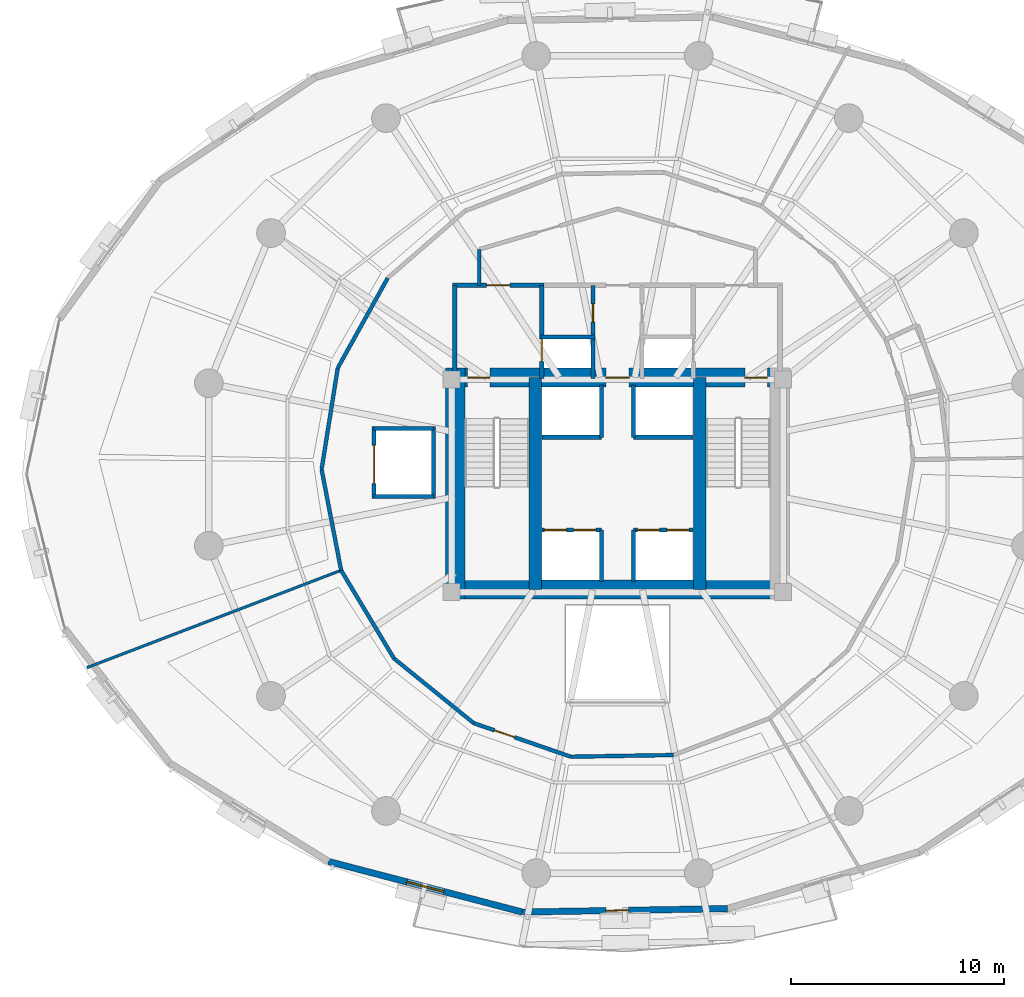
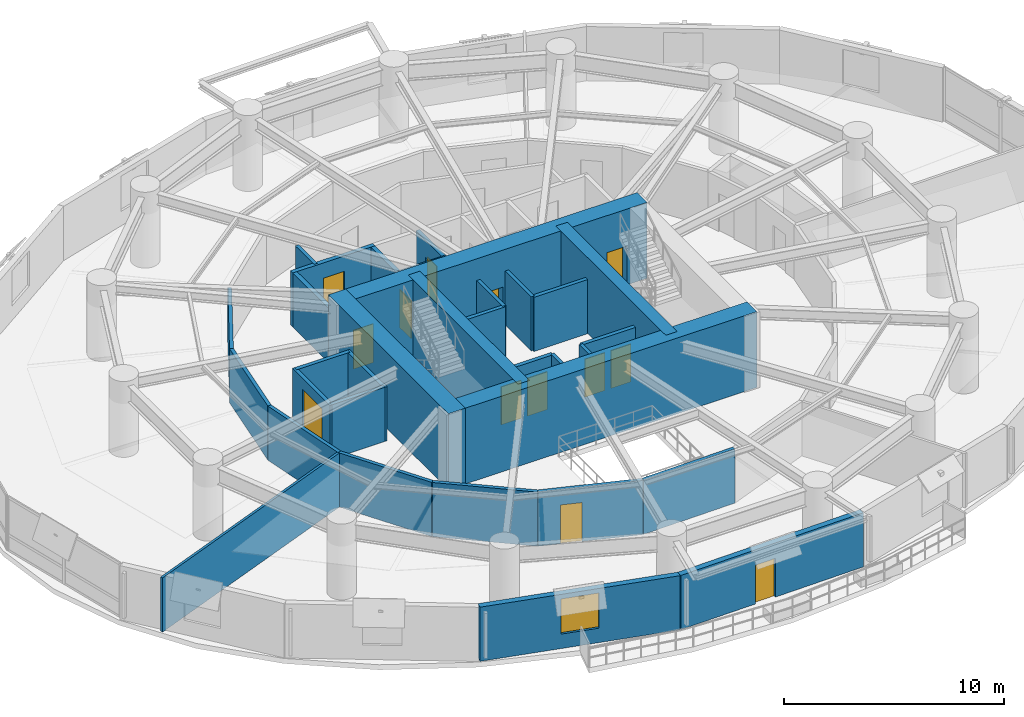
# One storey, part 12 of 17: 33 walls, 13 doors, 1 window, 14 openings.
"""IFC4 building model written with IfcOpenShell, lengths in metres."""

from ifc_helpers import new_model, si_unit, direction, frame, frame_2d, origin, place, context, subcontext, project, spatial, rectangle, extrude, material, layer, layer_set, type_object, element, fill, save


model = new_model("IFC4")

# Units and contexts
model_context = context("Model", 3, precision=1e-05, world=origin(), true_north=direction((0.0, 1.0)))
body_context = subcontext(model_context, "Body", "Model", "MODEL_VIEW")
ifc_project = project(units=[si_unit("LENGTHUNIT", "METRE"), si_unit("AREAUNIT", "SQUARE_METRE"), si_unit("VOLUMEUNIT", "CUBIC_METRE"), si_unit("PLANEANGLEUNIT", "RADIAN"), si_unit("MASSUNIT", "GRAM", prefix="KILO"), si_unit("THERMODYNAMICTEMPERATUREUNIT", "KELVIN"), si_unit("POWERUNIT", "WATT")], contexts=[model_context])

# Site, building, storey
site_placement = place(None, origin())
site = spatial("IfcSite", under=ifc_project, at=site_placement, CompositionType="ELEMENT")
building_placement = place(site_placement, origin())
building = spatial("IfcBuilding", under=site, at=building_placement, Name="Ocrelia Relay Tower", CompositionType="ELEMENT")
storey_placement = place(building_placement, frame((0.0, 0.0, 34.199951171875)))
storey = spatial("IfcBuildingStorey", under=building, at=storey_placement, Name="L07", CompositionType="ELEMENT", Elevation=34.199951171875)

# Wall
ifc_material_1 = material(Name="Concrete C70/85", Category="concrete")
ifc_layer_1 = layer(ifc_material_1, 0.89990234375, Name="Concrete C70/85")
ifc_layer_set_1 = layer_set([ifc_layer_1], Name="Concrete C70/85")
wall_type_1 = type_object("IfcWallType", Name="CW-CORE-900", PredefinedType="SHEAR", material=ifc_layer_set_1)
wall_1_placement = place(storey_placement, frame((25.922119140625, 20.112060546875, 0.0), z_axis=(0.0, 0.0, 1.0), x_axis=(1.0, 0.0, 0.0)))
element("IfcWall", 1, at=wall_1_placement, inside=storey, type_object=wall_type_1, Name="L07 Core Shear Wall S", PredefinedType="SHEAR", context=body_context, shape_type="SweptSolid", body=[
    extrude(rectangle(XDim=16.165771484375, YDim=0.89990234375, at=frame_2d((8.0830078125, 0.0))), origin(), (0.0, 0.0, 1.0), 4.199951171875),
])

# Wall, openings, doors
wall_2_placement = place(storey_placement, frame((25.922119140625, 30.087890625, 0.0), z_axis=(0.0, 0.0, 1.0), x_axis=(1.0, 0.0, 0.0)))
wall_2 = element("IfcWall", 2, at=wall_2_placement, inside=storey, type_object=wall_type_1, Name="L07 Core Shear Wall N", PredefinedType="SHEAR", context=body_context, shape_type="SweptSolid", body=[
    extrude(rectangle(XDim=16.165771484375, YDim=0.89990234375, at=frame_2d((8.0830078125, 0.0))), origin(), (0.0, 0.0, 1.0), 4.199951171875),
])
opening_1_placement = place(wall_2_placement, frame((1.028076171875, 0.0, 0.0)))
opening_1 = element("IfcOpeningElement", 3, at=opening_1_placement, cuts=wall_2, Name="Opening D-FD90", PredefinedType="OPENING", context=body_context, shape_type="SweptSolid", body=[
    extrude(rectangle(XDim=1.050048828125, YDim=2.14990234375, at=frame_2d((0.52490234375, 1.074951171875))), frame((0.0, 0.4599609375, 0.0), z_axis=(0.0, -1.0, 0.0), x_axis=(1.0, 0.0, 0.0)), (0.0, 0.0, 1.0), 0.919921875),
])
opening_2_placement = place(wall_2_placement, frame((14.077880859375, 0.0, 0.0)))
opening_2 = element("IfcOpeningElement", 4, at=opening_2_placement, cuts=wall_2, Name="Opening D-FD90", PredefinedType="OPENING", context=body_context, shape_type="SweptSolid", body=[
    extrude(rectangle(XDim=1.050048828125, YDim=2.14990234375, at=frame_2d((0.52490234375, 1.074951171875))), frame((0.0, 0.4599609375, 0.0), z_axis=(0.0, -1.0, 0.0), x_axis=(1.0, 0.0, 0.0)), (0.0, 0.0, 1.0), 0.919921875),
])
opening_3_placement = place(wall_2_placement, frame((7.528076171875, 0.0, 0.0)))
opening_3 = element("IfcOpeningElement", 5, at=opening_3_placement, cuts=wall_2, Name="Opening D-FD60", PredefinedType="OPENING", context=body_context, shape_type="SweptSolid", body=[
    extrude(rectangle(XDim=1.10009765625, YDim=2.14990234375, at=frame_2d((0.550048828125, 1.074951171875))), frame((0.0, 0.4599609375, 0.0), z_axis=(0.0, -1.0, 0.0), x_axis=(1.0, 0.0, 0.0)), (0.0, 0.0, 1.0), 0.919921875),
])
ifc_material_2 = material(Name="Timber-core 60-min acoustic fire door", Category="wood")
door_type_1 = type_object("IfcDoorType", Name="DR-LOBBY-FD60-1100", OperationType="NOTDEFINED", PredefinedType="DOOR", material=ifc_material_2)
door_1_placement = place(opening_3_placement, origin())
door_1 = element("IfcDoor", 6, at=door_1_placement, inside=storey, type_object=door_type_1, Name="L07 Core Lift Lobby North Fire Door", OperationType="SINGLE_SWING_RIGHT", OverallHeight=2.14990234375, OverallWidth=1.10009765625, PredefinedType="DOOR", context=body_context, shape_type="SweptSolid", body=[
    extrude(rectangle(XDim=1.10009765625, YDim=2.14990234375, at=frame_2d((0.550048828125, 1.074951171875))), frame((0.0, 0.02490234375, 0.0), z_axis=(0.0, -1.0, 0.0), x_axis=(1.0, 0.0, 0.0)), (0.0, 0.0, 1.0), 0.050048828125),
])
fill(opening_3, door_1)
ifc_material_3 = material(Name="Steel S355 90-min fire door", Category="steel")
door_type_2 = type_object("IfcDoorType", Name="DR-STAIR-FD90-1050", OperationType="NOTDEFINED", PredefinedType="DOOR", material=ifc_material_3)
door_2_placement = place(opening_1_placement, origin())
door_2 = element("IfcDoor", 7, at=door_2_placement, inside=storey, type_object=door_type_2, Name="L07 Stair ST1 Fire Door", OperationType="SINGLE_SWING_RIGHT", OverallHeight=2.14990234375, OverallWidth=1.050048828125, PredefinedType="DOOR", context=body_context, shape_type="SweptSolid", body=[
    extrude(rectangle(XDim=1.050048828125, YDim=2.14990234375, at=frame_2d((0.52490234375, 1.074951171875))), frame((0.0, 0.02490234375, 0.0), z_axis=(0.0, -1.0, 0.0), x_axis=(1.0, 0.0, 0.0)), (0.0, 0.0, 1.0), 0.050048828125),
])
fill(opening_1, door_2)
door_3_placement = place(opening_2_placement, origin())
door_3 = element("IfcDoor", 8, at=door_3_placement, inside=storey, type_object=door_type_2, Name="L07 Stair ST2 Fire Door", OperationType="SINGLE_SWING_LEFT", OverallHeight=2.14990234375, OverallWidth=1.050048828125, PredefinedType="DOOR", context=body_context, shape_type="SweptSolid", body=[
    extrude(rectangle(XDim=1.050048828125, YDim=2.14990234375, at=frame_2d((0.52490234375, 1.074951171875))), frame((0.0, 0.02490234375, 0.0), z_axis=(0.0, -1.0, 0.0), x_axis=(1.0, 0.0, 0.0)), (0.0, 0.0, 1.0), 0.050048828125),
])
fill(opening_2, door_3)

# Walls
wall_3_placement = place(storey_placement, frame((26.3720703125, 19.662109375, 0.0), z_axis=(0.0, 0.0, 1.0), x_axis=(0.0, 1.0, 0.0)))
element("IfcWall", 9, at=wall_3_placement, inside=storey, type_object=wall_type_1, Name="L07 Core Shear Wall W", PredefinedType="SHEAR", context=body_context, shape_type="SweptSolid", body=[
    extrude(rectangle(XDim=10.8759765625, YDim=0.89990234375, at=frame_2d((5.43798828125, 0.0))), origin(), (0.0, 0.0, 1.0), 4.199951171875),
])
for number, where, z_axis, x_axis, name in (
    (10, (30.137939453125, 20.112060546875, 0.0), (0.0, 0.0, 1.0), (0.0, 1.0, 0.0), "L07 Core Shear Wall SPW"),
    (11, (37.8720703125, 20.112060546875, 0.0), (0.0, 0.0, 1.0), (0.0, 1.0, 0.0), "L07 Core Shear Wall SPE"),
):
    element("IfcWall", number, at=place(storey_placement, frame(where, z_axis=z_axis, x_axis=x_axis)), inside=storey, type_object=wall_type_1, Name=name, PredefinedType="SHEAR", context=body_context, shape_type="SweptSolid", body=[
        extrude(rectangle(XDim=9.975830078125, YDim=0.60009765625, at=frame_2d((4.98779296875, 0.0))), origin(), (0.0, 0.0, 1.0), 4.199951171875),
    ])
ifc_material_4 = material(Name="Gypsum Fireboard Partition EI60", Category="gypsum")
ifc_layer_2 = layer(ifc_material_4, 0.179931640625, Name="Gypsum Fireboard Partition EI60")
ifc_layer_set_2 = layer_set([ifc_layer_2], Name="Gypsum Fireboard Partition EI60")
wall_type_2 = type_object("IfcWallType", Name="W-CORR-EI60-180", PredefinedType="PARTITIONING", material=ifc_layer_set_2)
wall_4_placement = place(storey_placement, frame((27.5, 34.429931640625, 0.0), z_axis=(0.0, 0.0, 1.0), x_axis=(0.0, 1.0, 0.0)))
element("IfcWall", 12, at=wall_4_placement, inside=storey, type_object=wall_type_2, Name="L07 Smoke Lobby West Return", PredefinedType="PARTITIONING", context=body_context, shape_type="SweptSolid", body=[
    extrude(rectangle(XDim=1.69287109375, YDim=0.179931640625, at=frame_2d((0.846435546875, 0.0))), origin(), (0.0, 0.0, 1.0), 3.0),
])
wall_5_placement = place(storey_placement, frame((23.189697265625, 34.76953125, 0.0), z_axis=(0.0, 0.0, 1.0), x_axis=(-0.48557861103, -0.874193006441, 0.0)))
element("IfcWall", 13, at=wall_5_placement, inside=storey, type_object=wall_type_2, Name="L07 Colocation Data Hall A Corridor Partition 5", PredefinedType="PARTITIONING", context=body_context, shape_type="SweptSolid", body=[
    extrude(rectangle(XDim=4.834228515625, YDim=0.179931640625, at=frame_2d((2.4169921875, 0.0))), origin(), (0.0, 0.0, 1.0), 3.0),
])
for number, where, z_axis, x_axis, name in (
    (14, (20.84228515625, 30.54345703125, 0.0), (0.0, 0.0, 1.0), (-0.15731094414, -0.987549121236, 0.0), "L07 Colocation Data Hall A Corridor Partition 6"),
    (15, (20.081787109375, 25.769287109375, 0.0), (0.0, 0.0, 1.0), (0.189984220732, -0.981787143872, 0.0), "L07 Colocation Data Hall A Corridor Partition 7"),
    (16, (21.000244140625, 21.02294921875, 0.0), (0.0, 0.0, 1.0), (0.514280376421, -0.857622116336, 0.0), "L07 Hardware Testing Laboratory Corridor Partition 1"),
):
    element("IfcWall", number, at=place(storey_placement, frame(where, z_axis=z_axis, x_axis=x_axis)), inside=storey, type_object=wall_type_2, Name=name, PredefinedType="PARTITIONING", context=body_context, shape_type="SweptSolid", body=[
        extrude(rectangle(XDim=4.83447265625, YDim=0.179931640625, at=frame_2d((2.417236328125, 0.0))), origin(), (0.0, 0.0, 1.0), 3.0),
    ])
wall_6_placement = place(storey_placement, frame((23.486572265625, 16.876708984375, 0.0), z_axis=(0.0, 0.0, 1.0), x_axis=(0.776603478821, -0.62998971157, 0.0)))
element("IfcWall", 17, at=wall_6_placement, inside=storey, type_object=wall_type_2, Name="L07 Hardware Testing Laboratory Corridor Partition 2", PredefinedType="PARTITIONING", context=body_context, shape_type="SweptSolid", body=[
    extrude(rectangle(XDim=4.833984375, YDim=0.179931640625, at=frame_2d((2.4169921875, 0.0))), origin(), (0.0, 0.0, 1.0), 3.0),
])

# Wall, opening, door
wall_7_placement = place(storey_placement, frame((27.24072265625, 13.831298828125, 0.0), z_axis=(0.0, 0.0, 1.0), x_axis=(0.945234970724, -0.326390640369, 0.0)))
wall_7 = element("IfcWall", 18, at=wall_7_placement, inside=storey, type_object=wall_type_2, Name="L07 Hardware Testing Laboratory Corridor Partition 3", PredefinedType="PARTITIONING", context=body_context, shape_type="SweptSolid", body=[
    extrude(rectangle(XDim=4.834228515625, YDim=0.179931640625, at=frame_2d((2.4169921875, 0.0))), origin(), (0.0, 0.0, 1.0), 3.0),
])
opening_4_placement = place(wall_7_placement, frame((1.03369140625, 0.0, 0.0)))
opening_4 = element("IfcOpeningElement", 19, at=opening_4_placement, cuts=wall_7, Name="Opening D-RM100", PredefinedType="OPENING", context=body_context, shape_type="SweptSolid", body=[
    extrude(rectangle(XDim=1.0, YDim=2.14990234375, at=frame_2d((0.5, 1.074951171875))), frame((0.0, 0.10009765625, 0.0), z_axis=(0.0, -1.0, 0.0), x_axis=(1.0, 0.0, 0.0)), (0.0, 0.0, 1.0), 0.199951171875),
])
ifc_material_5 = material(Name="Acoustic oak veneer fire door", Category="wood")
door_type_3 = type_object("IfcDoorType", Name="DR-ROOM-FD60-1000", OperationType="NOTDEFINED", PredefinedType="DOOR", material=ifc_material_5)
door_4_placement = place(opening_4_placement, origin())
door_4 = element("IfcDoor", 20, at=door_4_placement, inside=storey, type_object=door_type_3, Name="L07 Hardware Testing Laboratory Entrance Door", OperationType="SINGLE_SWING_RIGHT", OverallHeight=2.14990234375, OverallWidth=1.0, PredefinedType="DOOR", context=body_context, shape_type="SweptSolid", body=[
    extrude(rectangle(XDim=1.0, YDim=2.14990234375, at=frame_2d((0.5, 1.074951171875))), frame((0.0, 0.02490234375, 0.0), z_axis=(0.0, -1.0, 0.0), x_axis=(1.0, 0.0, 0.0)), (0.0, 0.0, 1.0), 0.050048828125),
])
fill(opening_4, door_4)

# Wall
wall_8_placement = place(storey_placement, frame((31.810302734375, 12.25341796875, 0.0), z_axis=(0.0, 0.0, 1.0), x_axis=(0.99986280389, 0.016564220399, 0.0)))
element("IfcWall", 21, at=wall_8_placement, inside=storey, type_object=wall_type_2, Name="L07 Hardware Testing Laboratory Corridor Partition 4", PredefinedType="PARTITIONING", context=body_context, shape_type="SweptSolid", body=[
    extrude(rectangle(XDim=4.83447265625, YDim=0.179931640625, at=frame_2d((2.417236328125, 0.0))), origin(), (0.0, 0.0, 1.0), 3.0),
])

# Wall, opening, window
ifc_material_6 = material(Name="Precast concrete C40/50 with oxide terracotta", Category="masonry")
ifc_layer_3 = layer(ifc_material_6, 0.300048828125, Name="Precast concrete C40/50 with oxide terracotta")
ifc_layer_set_3 = layer_set([ifc_layer_3], Name="Precast concrete C40/50 with oxide terracotta")
wall_type_3 = type_object("IfcWallType", Name="W-EXT-TERR-300", PredefinedType="SOLIDWALL", material=ifc_layer_set_3)
wall_9_placement = place(storey_placement, frame((20.40771484375, 7.32568359375, 0.0), z_axis=(0.0, 0.0, 1.0), x_axis=(0.967564951613, -0.252622375118, 0.0)))
wall_9 = element("IfcWall", 22, at=wall_9_placement, inside=storey, type_object=wall_type_3, Name="L07 Oxide Terracotta Facade Wall 13", PredefinedType="SOLIDWALL", context=body_context, shape_type="SweptSolid", body=[
    extrude(rectangle(XDim=9.418701171875, YDim=0.300048828125, at=frame_2d((4.70947265625, 0.0))), origin(), (0.0, 0.0, 1.0), 3.0),
])
opening_5_placement = place(wall_9_placement, frame((3.80908203125, 0.0, 0.800048828125)))
opening_5 = element("IfcOpeningElement", 23, at=opening_5_placement, cuts=wall_9, Name="Opening W-02", PredefinedType="OPENING", context=body_context, shape_type="SweptSolid", body=[
    extrude(rectangle(XDim=1.800048828125, YDim=1.949951171875, at=frame_2d((0.89990234375, 0.97509765625))), frame((0.0, 0.16015625, 0.0), z_axis=(0.0, -1.0, 0.0), x_axis=(1.0, 0.0, 0.0)), (0.0, 0.0, 1.0), 0.320068359375),
])
ifc_material_7 = material(Name="Clear double-glazed low-E glass", Category="glass")
window_type = type_object("IfcWindowType", Name="WIN-Z1-1800x2100", PartitioningType="DOUBLE_PANEL_VERTICAL", PredefinedType="WINDOW", material=ifc_material_7)
window_placement = place(opening_5_placement, origin())
window = element("IfcWindow", 24, at=window_placement, inside=storey, type_object=window_type, Name="L07 Facade Module Window 13", OverallHeight=1.949951171875, OverallWidth=1.800048828125, PartitioningType="SINGLE_PANEL", PredefinedType="WINDOW", context=body_context, shape_type="SweptSolid", body=[
    extrude(rectangle(XDim=1.800048828125, YDim=1.949951171875, at=frame_2d((0.89990234375, 0.97509765625))), frame((0.0, 0.030029296875, 0.0), z_axis=(0.0, -1.0, 0.0), x_axis=(1.0, 0.0, 0.0)), (0.0, 0.0, 1.0), 0.06005859375),
])
fill(opening_5, window)

# Wall, opening, door
wall_10_placement = place(storey_placement, frame((29.52099609375, 4.9462890625, 0.0), z_axis=(0.0, 0.0, 1.0), x_axis=(0.999862408139, 0.016588091847, 0.0)))
wall_10 = element("IfcWall", 25, at=wall_10_placement, inside=storey, type_object=wall_type_3, Name="L07 Oxide Terracotta Facade Wall 14", PredefinedType="SOLIDWALL", context=body_context, shape_type="SweptSolid", body=[
    extrude(rectangle(XDim=9.65478515625, YDim=0.300048828125, at=frame_2d((4.827392578125, 0.0))), origin(), (0.0, 0.0, 1.0), 3.0),
])
opening_6_placement = place(wall_10_placement, frame((3.949951171875, 0.0, 0.0)))
opening_6 = element("IfcOpeningElement", 26, at=opening_6_placement, cuts=wall_10, Name="Opening DB-105", PredefinedType="OPENING", context=body_context, shape_type="SweptSolid", body=[
    extrude(rectangle(XDim=1.050048828125, YDim=2.14990234375, at=frame_2d((0.52490234375, 1.074951171875))), frame((0.0, 0.16015625, 0.0), z_axis=(0.0, -1.0, 0.0), x_axis=(1.0, 0.0, 0.0)), (0.0, 0.0, 1.0), 0.320068359375),
])
ifc_material_8 = material(Name="Thermally broken aluminium and clear glass", Category="aluminium")
door_type_4 = type_object("IfcDoorType", Name="DR-BALC-1050", OperationType="NOTDEFINED", PredefinedType="DOOR", material=ifc_material_8)
door_5_placement = place(opening_6_placement, origin())
door_5 = element("IfcDoor", 27, at=door_5_placement, inside=storey, type_object=door_type_4, Name="L07 Planted Loggia Balcony Door B2", OperationType="SINGLE_SWING_LEFT", OverallHeight=2.14990234375, OverallWidth=1.050048828125, PredefinedType="DOOR", context=body_context, shape_type="SweptSolid", body=[
    extrude(rectangle(XDim=1.050048828125, YDim=2.14990234375, at=frame_2d((0.52490234375, 1.074951171875))), frame((0.0, 0.02490234375, 0.0), z_axis=(0.0, -1.0, 0.0), x_axis=(1.0, 0.0, 0.0)), (0.0, 0.0, 1.0), 0.050048828125),
])
fill(opening_6, door_5)

# Wall
ifc_material_9 = material(Name="Concrete C50/60", Category="concrete")
ifc_layer_4 = layer(ifc_material_9, 0.219970703125, Name="Concrete C50/60")
ifc_layer_set_4 = layer_set([ifc_layer_4], Name="Concrete C50/60")
wall_type_4 = type_object("IfcWallType", Name="W-FFL-EI120-220", PredefinedType="SOLIDWALL", material=ifc_layer_set_4)
wall_11_placement = place(storey_placement, frame((26.35009765625, 30.050048828125, 0.0), z_axis=(0.0, 0.0, 1.0), x_axis=(0.0, 1.0, 0.0)))
element("IfcWall", 28, at=wall_11_placement, inside=storey, type_object=wall_type_4, Name="L07 W Fire Service Lift Lobby West Wall", PredefinedType="SOLIDWALL", context=body_context, shape_type="SweptSolid", body=[
    extrude(rectangle(XDim=4.3798828125, YDim=0.219970703125, at=frame_2d((2.18994140625, 0.0))), origin(), (0.0, 0.0, 1.0), 3.0),
])

# Wall, opening, door
wall_12_placement = place(storey_placement, frame((30.43994140625, 30.050048828125, 0.0), z_axis=(0.0, 0.0, 1.0), x_axis=(0.0, 1.0, 0.0)))
wall_12 = element("IfcWall", 29, at=wall_12_placement, inside=storey, type_object=wall_type_4, Name="L07 W Fire Service Lift Lobby East Wall", PredefinedType="SOLIDWALL", context=body_context, shape_type="SweptSolid", body=[
    extrude(rectangle(XDim=4.3798828125, YDim=0.219970703125, at=frame_2d((2.18994140625, 0.0))), origin(), (0.0, 0.0, 1.0), 3.0),
])
opening_7_placement = place(wall_12_placement, frame((0.800048828125, 0.0, 0.0)))
opening_7 = element("IfcOpeningElement", 30, at=opening_7_placement, cuts=wall_12, Name="Opening LD-FFL1", PredefinedType="OPENING", context=body_context, shape_type="SweptSolid", body=[
    extrude(rectangle(XDim=1.050048828125, YDim=2.10009765625, at=frame_2d((0.52490234375, 1.050048828125))), frame((0.0, 0.1201171875, 0.0), z_axis=(0.0, -1.0, 0.0), x_axis=(1.0, 0.0, 0.0)), (0.0, 0.0, 1.0), 0.239990234375),
])
ifc_material_10 = material(Name="Brushed stainless steel S355 lift landing door", Category="steel")
door_type_5 = type_object("IfcDoorType", Name="DR-LIFT-LAND-1050", OperationType="DOUBLE_DOOR_SLIDING", PredefinedType="USERDEFINED", material=ifc_material_10)
door_6_placement = place(opening_7_placement, origin())
door_6 = element("IfcDoor", 31, at=door_6_placement, inside=storey, type_object=door_type_5, Name="L07 Firefighting Lift FFL1 Sliding Landing Door", ObjectType="LANDING DOOR", OperationType="DOUBLE_DOOR_SLIDING", OverallHeight=2.10009765625, OverallWidth=1.050048828125, PredefinedType="USERDEFINED", context=body_context, shape_type="SweptSolid", body=[
    extrude(rectangle(XDim=1.050048828125, YDim=2.10009765625, at=frame_2d((0.52490234375, 1.050048828125))), frame((0.0, 0.02490234375, 0.0), z_axis=(0.0, -1.0, 0.0), x_axis=(1.0, 0.0, 0.0)), (0.0, 0.0, 1.0), 0.050048828125),
])
fill(opening_7, door_6)

wall_13_placement = place(storey_placement, frame((26.239990234375, 34.429931640625, 0.0), z_axis=(0.0, 0.0, 1.0), x_axis=(1.0, 0.0, 0.0)))
wall_13 = element("IfcWall", 32, at=wall_13_placement, inside=storey, type_object=wall_type_4, Name="L07 W Fire Service Lift Lobby North Wall", PredefinedType="SOLIDWALL", context=body_context, shape_type="SweptSolid", body=[
    extrude(rectangle(XDim=4.31005859375, YDim=0.219970703125, at=frame_2d((2.155029296875, 0.0))), origin(), (0.0, 0.0, 1.0), 3.0),
])
opening_8_placement = place(wall_13_placement, frame((1.60009765625, 0.0, 0.0)))
opening_8 = element("IfcOpeningElement", 33, at=opening_8_placement, cuts=wall_13, Name="Opening D-FD60", PredefinedType="OPENING", context=body_context, shape_type="SweptSolid", body=[
    extrude(rectangle(XDim=1.10009765625, YDim=2.14990234375, at=frame_2d((0.550048828125, 1.074951171875))), frame((0.0, 0.1201171875, 0.0), z_axis=(0.0, -1.0, 0.0), x_axis=(1.0, 0.0, 0.0)), (0.0, 0.0, 1.0), 0.239990234375),
])
door_7_placement = place(opening_8_placement, origin())
door_7 = element("IfcDoor", 34, at=door_7_placement, inside=storey, type_object=door_type_1, Name="L07 W Fire Service Lift Lobby Exit Door", OperationType="SINGLE_SWING_LEFT", OverallHeight=2.14990234375, OverallWidth=1.10009765625, PredefinedType="DOOR", context=body_context, shape_type="SweptSolid", body=[
    extrude(rectangle(XDim=1.10009765625, YDim=2.14990234375, at=frame_2d((0.550048828125, 1.074951171875))), frame((0.0, 0.02490234375, 0.0), z_axis=(0.0, -1.0, 0.0), x_axis=(1.0, 0.0, 0.0)), (0.0, 0.0, 1.0), 0.050048828125),
])
fill(opening_8, door_7)

# Walls
ifc_material_11 = material(Name="Acoustic Fireboard Partition EI60", Category="gypsum")
ifc_layer_5 = layer(ifc_material_11, 0.125, Name="Acoustic Fireboard Partition EI60")
ifc_layer_set_5 = layer_set([ifc_layer_5], Name="Acoustic Fireboard Partition EI60")
wall_type_5 = type_object("IfcWallType", Name="W-PART-125", PredefinedType="PARTITIONING", material=ifc_layer_set_5)
wall_14_placement = place(storey_placement, frame((21.000244140625, 21.02294921875, 0.0), z_axis=(0.0, 0.0, 1.0), x_axis=(-0.933890084166, -0.357560219679, 0.0)))
element("IfcWall", 35, at=wall_14_placement, inside=storey, type_object=wall_type_5, Name="L07 Colocation Data Hall A Radial Partition", PredefinedType="PARTITIONING", context=body_context, shape_type="SweptSolid", body=[
    extrude(rectangle(XDim=12.802490234375, YDim=0.125, at=frame_2d((6.4013671875, 0.0))), origin(), (0.0, 0.0, 1.0), 3.0),
])
ifc_layer_6 = layer(ifc_material_9, 0.199951171875, Name="Concrete C50/60")
ifc_layer_set_6 = layer_set([ifc_layer_6], Name="Concrete C50/60")
wall_type_6 = type_object("IfcWallType", Name="W-SHAFT-EI120-200", PredefinedType="SOLIDWALL", material=ifc_layer_set_6)
wall_15_placement = place(storey_placement, frame((30.39990234375, 32.0, 0.0), z_axis=(0.0, 0.0, 1.0), x_axis=(1.0, 0.0, 0.0)))
element("IfcWall", 36, at=wall_15_placement, inside=storey, type_object=wall_type_6, Name="L07 FFL1 Hoistway North Wall", PredefinedType="SOLIDWALL", context=body_context, shape_type="SweptSolid", body=[
    extrude(rectangle(XDim=2.550048828125, YDim=0.199951171875, at=frame_2d((1.27490234375, 0.0))), origin(), (0.0, 0.0, 1.0), 3.0),
])

# Wall, opening, door
wall_16_placement = place(storey_placement, frame((32.85009765625, 30.050048828125, 0.0), z_axis=(0.0, 0.0, 1.0), x_axis=(0.0, 1.0, 0.0)))
wall_16 = element("IfcWall", 37, at=wall_16_placement, inside=storey, type_object=wall_type_6, Name="L07 FFL1 and Service Vestibule Wall", PredefinedType="SOLIDWALL", context=body_context, shape_type="SweptSolid", body=[
    extrude(rectangle(XDim=4.3798828125, YDim=0.199951171875, at=frame_2d((2.18994140625, 0.0))), origin(), (0.0, 0.0, 1.0), 3.0),
])
opening_9_placement = place(wall_16_placement, frame((2.64990234375, 0.0, 0.0)))
opening_9 = element("IfcOpeningElement", 38, at=opening_9_placement, cuts=wall_16, Name="Opening D-RS86", PredefinedType="OPENING", context=body_context, shape_type="SweptSolid", body=[
    extrude(rectangle(XDim=0.860107421875, YDim=2.050048828125, at=frame_2d((0.43017578125, 1.02490234375))), frame((0.0, 0.10986328125, 0.0), z_axis=(0.0, -1.0, 0.0), x_axis=(1.0, 0.0, 0.0)), (0.0, 0.0, 1.0), 0.219970703125),
])
ifc_material_12 = material(Name="Steel S355 riser access fire door", Category="steel")
door_type_6 = type_object("IfcDoorType", Name="DR-RISER-TRAP-860", OperationType="NOTDEFINED", PredefinedType="TRAPDOOR", material=ifc_material_12)
door_8_placement = place(opening_9_placement, origin())
door_8 = element("IfcDoor", 39, at=door_8_placement, inside=storey, type_object=door_type_6, Name="L07 Core Support Room W Door", OperationType="SINGLE_SWING_RIGHT", OverallHeight=2.050048828125, OverallWidth=0.860107421875, PredefinedType="TRAPDOOR", context=body_context, shape_type="SweptSolid", body=[
    extrude(rectangle(XDim=0.860107421875, YDim=2.050048828125, at=frame_2d((0.43017578125, 1.02490234375))), frame((0.0, 0.02490234375, 0.0), z_axis=(0.0, -1.0, 0.0), x_axis=(1.0, 0.0, 0.0)), (0.0, 0.0, 1.0), 0.050048828125),
])
fill(opening_9, door_8)

# Wall, openings, doors
wall_17_placement = place(storey_placement, frame((30.43994140625, 22.919921875, 0.0), z_axis=(0.0, 0.0, 1.0), x_axis=(1.0, 0.0, 0.0)))
wall_17 = element("IfcWall", 40, at=wall_17_placement, inside=storey, type_object=wall_type_6, Name="L07 Low-Rise Lift Hoistway Wall W", PredefinedType="SOLIDWALL", context=body_context, shape_type="SweptSolid", body=[
    extrude(rectangle(XDim=2.81005859375, YDim=0.199951171875, at=frame_2d((1.405029296875, 0.0))), origin(), (0.0, 0.0, 1.0), 3.0),
])
opening_10_placement = place(wall_17_placement, frame((0.1201171875, 0.0, 0.0)))
opening_10 = element("IfcOpeningElement", 41, at=opening_10_placement, cuts=wall_17, Name="Opening LD-PL1", PredefinedType="OPENING", context=body_context, shape_type="SweptSolid", body=[
    extrude(rectangle(XDim=1.050048828125, YDim=2.10009765625, at=frame_2d((0.52490234375, 1.050048828125))), frame((0.0, 0.10986328125, 0.0), z_axis=(0.0, -1.0, 0.0), x_axis=(1.0, 0.0, 0.0)), (0.0, 0.0, 1.0), 0.219970703125),
])
opening_11_placement = place(wall_17_placement, frame((1.5, 0.0, 0.0)))
opening_11 = element("IfcOpeningElement", 42, at=opening_11_placement, cuts=wall_17, Name="Opening LD-PL2", PredefinedType="OPENING", context=body_context, shape_type="SweptSolid", body=[
    extrude(rectangle(XDim=1.050048828125, YDim=2.10009765625, at=frame_2d((0.52490234375, 1.050048828125))), frame((0.0, 0.10986328125, 0.0), z_axis=(0.0, -1.0, 0.0), x_axis=(1.0, 0.0, 0.0)), (0.0, 0.0, 1.0), 0.219970703125),
])
door_9_placement = place(opening_10_placement, origin())
door_9 = element("IfcDoor", 43, at=door_9_placement, inside=storey, type_object=door_type_5, Name="L07 Passenger Lift PL1 Sliding Landing Door", ObjectType="LANDING DOOR", OperationType="DOUBLE_DOOR_SLIDING", OverallHeight=2.10009765625, OverallWidth=1.050048828125, PredefinedType="USERDEFINED", context=body_context, shape_type="SweptSolid", body=[
    extrude(rectangle(XDim=1.050048828125, YDim=2.10009765625, at=frame_2d((0.52490234375, 1.050048828125))), frame((0.0, 0.02490234375, 0.0), z_axis=(0.0, -1.0, 0.0), x_axis=(1.0, 0.0, 0.0)), (0.0, 0.0, 1.0), 0.050048828125),
])
fill(opening_10, door_9)
door_10_placement = place(opening_11_placement, origin())
door_10 = element("IfcDoor", 44, at=door_10_placement, inside=storey, type_object=door_type_5, Name="L07 Passenger Lift PL2 Sliding Landing Door", ObjectType="LANDING DOOR", OperationType="DOUBLE_DOOR_SLIDING", OverallHeight=2.10009765625, OverallWidth=1.050048828125, PredefinedType="USERDEFINED", context=body_context, shape_type="SweptSolid", body=[
    extrude(rectangle(XDim=1.050048828125, YDim=2.10009765625, at=frame_2d((0.52490234375, 1.050048828125))), frame((0.0, 0.02490234375, 0.0), z_axis=(0.0, -1.0, 0.0), x_axis=(1.0, 0.0, 0.0)), (0.0, 0.0, 1.0), 0.050048828125),
])
fill(opening_11, door_10)

# Wall
wall_18_placement = place(storey_placement, frame((33.25, 20.5, 0.0), z_axis=(0.0, 0.0, 1.0), x_axis=(0.0, 1.0, 0.0)))
element("IfcWall", 45, at=wall_18_placement, inside=storey, type_object=wall_type_6, Name="L07 Low-Rise Lift Throat Wall W", PredefinedType="SOLIDWALL", context=body_context, shape_type="SweptSolid", body=[
    extrude(rectangle(XDim=2.419921875, YDim=0.179931640625, at=frame_2d((1.2099609375, 0.0))), origin(), (0.0, 0.0, 1.0), 3.0),
])

# Wall, openings, doors
wall_19_placement = place(storey_placement, frame((34.75, 22.919921875, 0.0), z_axis=(0.0, 0.0, 1.0), x_axis=(1.0, 0.0, 0.0)))
wall_19 = element("IfcWall", 46, at=wall_19_placement, inside=storey, type_object=wall_type_6, Name="L07 Low-Rise Lift Hoistway Wall E", PredefinedType="SOLIDWALL", context=body_context, shape_type="SweptSolid", body=[
    extrude(rectangle(XDim=2.81005859375, YDim=0.199951171875, at=frame_2d((1.405029296875, 0.0))), origin(), (0.0, 0.0, 1.0), 3.0),
])
opening_12_placement = place(wall_19_placement, frame((0.18994140625, 0.0, 0.0)))
opening_12 = element("IfcOpeningElement", 47, at=opening_12_placement, cuts=wall_19, Name="Opening LD-PL3", PredefinedType="OPENING", context=body_context, shape_type="SweptSolid", body=[
    extrude(rectangle(XDim=1.050048828125, YDim=2.10009765625, at=frame_2d((0.52490234375, 1.050048828125))), frame((0.0, 0.10986328125, 0.0), z_axis=(0.0, -1.0, 0.0), x_axis=(1.0, 0.0, 0.0)), (0.0, 0.0, 1.0), 0.219970703125),
])
opening_13_placement = place(wall_19_placement, frame((1.570068359375, 0.0, 0.0)))
opening_13 = element("IfcOpeningElement", 48, at=opening_13_placement, cuts=wall_19, Name="Opening LD-PL4", PredefinedType="OPENING", context=body_context, shape_type="SweptSolid", body=[
    extrude(rectangle(XDim=1.050048828125, YDim=2.10009765625, at=frame_2d((0.52490234375, 1.050048828125))), frame((0.0, 0.10986328125, 0.0), z_axis=(0.0, -1.0, 0.0), x_axis=(1.0, 0.0, 0.0)), (0.0, 0.0, 1.0), 0.219970703125),
])
door_11_placement = place(opening_12_placement, origin())
door_11 = element("IfcDoor", 49, at=door_11_placement, inside=storey, type_object=door_type_5, Name="L07 Passenger Lift PL3 Sliding Landing Door", ObjectType="LANDING DOOR", OperationType="DOUBLE_DOOR_SLIDING", OverallHeight=2.10009765625, OverallWidth=1.050048828125, PredefinedType="USERDEFINED", context=body_context, shape_type="SweptSolid", body=[
    extrude(rectangle(XDim=1.050048828125, YDim=2.10009765625, at=frame_2d((0.52490234375, 1.050048828125))), frame((0.0, 0.02490234375, 0.0), z_axis=(0.0, -1.0, 0.0), x_axis=(1.0, 0.0, 0.0)), (0.0, 0.0, 1.0), 0.050048828125),
])
fill(opening_12, door_11)
door_12_placement = place(opening_13_placement, origin())
door_12 = element("IfcDoor", 50, at=door_12_placement, inside=storey, type_object=door_type_5, Name="L07 Passenger Lift PL4 Sliding Landing Door", ObjectType="LANDING DOOR", OperationType="DOUBLE_DOOR_SLIDING", OverallHeight=2.10009765625, OverallWidth=1.050048828125, PredefinedType="USERDEFINED", context=body_context, shape_type="SweptSolid", body=[
    extrude(rectangle(XDim=1.050048828125, YDim=2.10009765625, at=frame_2d((0.52490234375, 1.050048828125))), frame((0.0, 0.02490234375, 0.0), z_axis=(0.0, -1.0, 0.0), x_axis=(1.0, 0.0, 0.0)), (0.0, 0.0, 1.0), 0.050048828125),
])
fill(opening_13, door_12)

# Walls
wall_20_placement = place(storey_placement, frame((34.75, 20.5, 0.0), z_axis=(0.0, 0.0, 1.0), x_axis=(0.0, 1.0, 0.0)))
element("IfcWall", 51, at=wall_20_placement, inside=storey, type_object=wall_type_6, Name="L07 Low-Rise Lift Throat Wall E", PredefinedType="SOLIDWALL", context=body_context, shape_type="SweptSolid", body=[
    extrude(rectangle(XDim=2.419921875, YDim=0.179931640625, at=frame_2d((1.2099609375, 0.0))), origin(), (0.0, 0.0, 1.0), 3.0),
])
wall_21_placement = place(storey_placement, frame((30.43994140625, 27.280029296875, 0.0), z_axis=(0.0, 0.0, 1.0), x_axis=(1.0, 0.0, 0.0)))
element("IfcWall", 52, at=wall_21_placement, inside=storey, type_object=wall_type_6, Name="L07 High-Rise Lift Hoistway Wall W", PredefinedType="SOLIDWALL", context=body_context, shape_type="SweptSolid", body=[
    extrude(rectangle(XDim=2.81005859375, YDim=0.199951171875, at=frame_2d((1.405029296875, 0.0))), origin(), (0.0, 0.0, 1.0), 3.0),
])
wall_22_placement = place(storey_placement, frame((33.25, 27.280029296875, 0.0), z_axis=(0.0, 0.0, 1.0), x_axis=(0.0, 1.0, 0.0)))
element("IfcWall", 53, at=wall_22_placement, inside=storey, type_object=wall_type_6, Name="L07 High-Rise Lift Throat Wall W", PredefinedType="SOLIDWALL", context=body_context, shape_type="SweptSolid", body=[
    extrude(rectangle(XDim=2.469970703125, YDim=0.179931640625, at=frame_2d((1.23486328125, 0.0))), origin(), (0.0, 0.0, 1.0), 3.0),
])
wall_23_placement = place(storey_placement, frame((34.75, 27.280029296875, 0.0), z_axis=(0.0, 0.0, 1.0), x_axis=(1.0, 0.0, 0.0)))
element("IfcWall", 54, at=wall_23_placement, inside=storey, type_object=wall_type_6, Name="L07 High-Rise Lift Hoistway Wall E", PredefinedType="SOLIDWALL", context=body_context, shape_type="SweptSolid", body=[
    extrude(rectangle(XDim=2.81005859375, YDim=0.199951171875, at=frame_2d((1.405029296875, 0.0))), origin(), (0.0, 0.0, 1.0), 3.0),
])
wall_24_placement = place(storey_placement, frame((34.75, 27.280029296875, 0.0), z_axis=(0.0, 0.0, 1.0), x_axis=(0.0, 1.0, 0.0)))
element("IfcWall", 55, at=wall_24_placement, inside=storey, type_object=wall_type_6, Name="L07 High-Rise Lift Throat Wall E", PredefinedType="SOLIDWALL", context=body_context, shape_type="SweptSolid", body=[
    extrude(rectangle(XDim=2.469970703125, YDim=0.179931640625, at=frame_2d((1.23486328125, 0.0))), origin(), (0.0, 0.0, 1.0), 3.0),
])

# Wall, opening, door
wall_25_placement = place(storey_placement, frame((22.550048828125, 24.39990234375, 0.0), z_axis=(0.0, 0.0, 1.0), x_axis=(0.0, 1.0, 0.0)))
wall_25 = element("IfcWall", 56, at=wall_25_placement, inside=storey, type_object=wall_type_6, Name="L07 Goods Lift Shaft West Wall", PredefinedType="SOLIDWALL", context=body_context, shape_type="SweptSolid", body=[
    extrude(rectangle(XDim=3.400146484375, YDim=0.199951171875, at=frame_2d((1.7001953125, 0.0))), origin(), (0.0, 0.0, 1.0), 3.0),
])
opening_14_placement = place(wall_25_placement, frame((0.699951171875, 0.0, 0.0)))
opening_14 = element("IfcOpeningElement", 57, at=opening_14_placement, cuts=wall_25, Name="Opening LD-GL1", PredefinedType="OPENING", context=body_context, shape_type="SweptSolid", body=[
    extrude(rectangle(XDim=1.800048828125, YDim=2.39990234375, at=frame_2d((0.89990234375, 1.199951171875))), frame((0.0, 0.10986328125, 0.0), z_axis=(0.0, -1.0, 0.0), x_axis=(1.0, 0.0, 0.0)), (0.0, 0.0, 1.0), 0.219970703125),
])
ifc_material_13 = material(Name="Heavy-duty stainless steel S355 goods landing door", Category="steel")
door_type_7 = type_object("IfcDoorType", Name="DR-GOODS-LAND-1800", OperationType="DOUBLE_DOOR_SLIDING", PredefinedType="USERDEFINED", material=ifc_material_13)
door_13_placement = place(opening_14_placement, origin())
door_13 = element("IfcDoor", 58, at=door_13_placement, inside=storey, type_object=door_type_7, Name="L07 Goods Lift GL1 Sliding Landing Door", ObjectType="LANDING DOOR", OperationType="DOUBLE_DOOR_SLIDING", OverallHeight=2.39990234375, OverallWidth=1.800048828125, PredefinedType="USERDEFINED", context=body_context, shape_type="SweptSolid", body=[
    extrude(rectangle(XDim=1.800048828125, YDim=2.39990234375, at=frame_2d((0.89990234375, 1.199951171875))), frame((0.0, 0.02490234375, 0.0), z_axis=(0.0, -1.0, 0.0), x_axis=(1.0, 0.0, 0.0)), (0.0, 0.0, 1.0), 0.050048828125),
])
fill(opening_14, door_13)

# Walls
wall_26_placement = place(storey_placement, frame((25.35009765625, 24.39990234375, 0.0), z_axis=(0.0, 0.0, 1.0), x_axis=(0.0, 1.0, 0.0)))
element("IfcWall", 59, at=wall_26_placement, inside=storey, type_object=wall_type_6, Name="L07 Goods Lift Shaft E Wall", PredefinedType="SOLIDWALL", context=body_context, shape_type="SweptSolid", body=[
    extrude(rectangle(XDim=3.400146484375, YDim=0.199951171875, at=frame_2d((1.7001953125, 0.0))), origin(), (0.0, 0.0, 1.0), 3.0),
])
for number, where, z_axis, x_axis, name in (
    (60, (22.550048828125, 24.5, 0.0), (0.0, 0.0, 1.0), (1.0, 0.0, 0.0), "L07 Goods Lift Shaft S Wall"),
    (61, (22.550048828125, 27.699951171875, 0.0), (0.0, 0.0, 1.0), (1.0, 0.0, 0.0), "L07 Goods Lift Shaft N Wall"),
):
    element("IfcWall", number, at=place(storey_placement, frame(where, z_axis=z_axis, x_axis=x_axis)), inside=storey, type_object=wall_type_6, Name=name, PredefinedType="SOLIDWALL", context=body_context, shape_type="SweptSolid", body=[
        extrude(rectangle(XDim=2.800048828125, YDim=0.199951171875, at=frame_2d((1.39990234375, 0.0))), origin(), (0.0, 0.0, 1.0), 3.0),
    ])

save(model, "model.ifc")
